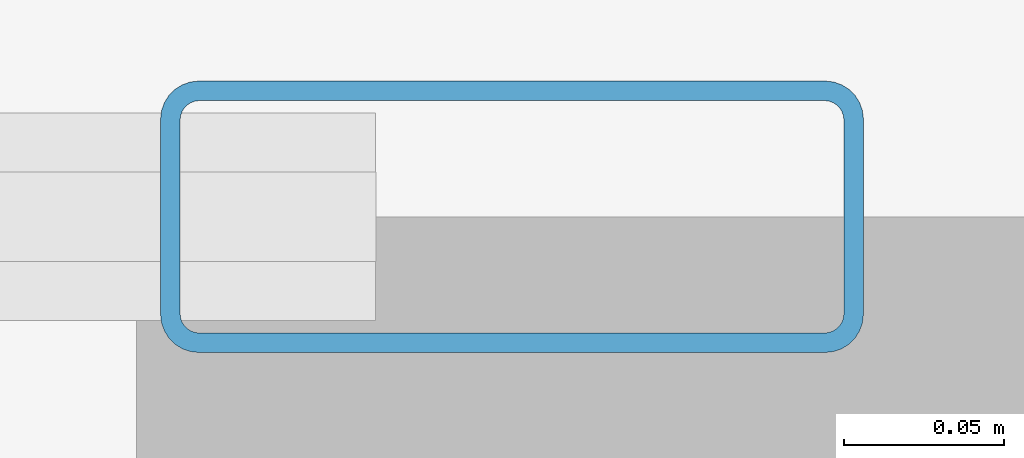
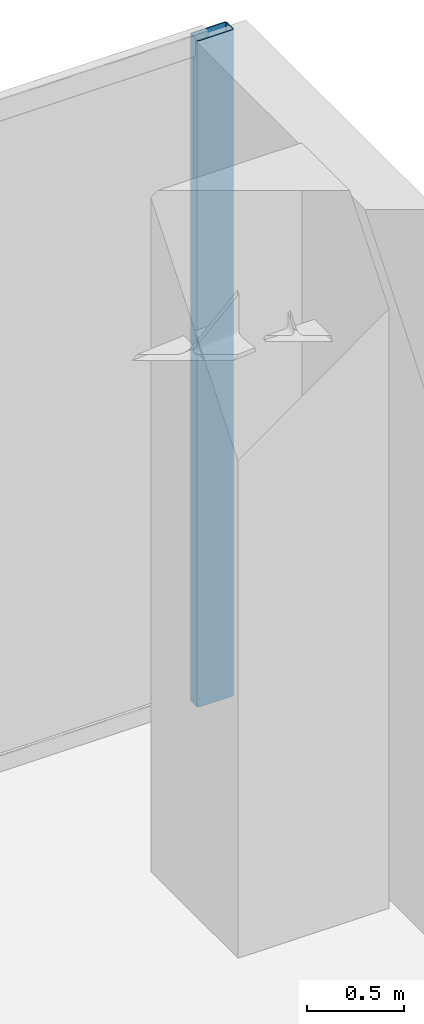
# One storey, part 17 of 29: 1 member, 1 element without a shape of its own.
"""IFC4 building model written with IfcOpenShell, lengths in metres."""

from ifc_helpers import new_model, si_unit, direction, frame, origin, origin_2d, place, context, subcontext, project, spatial, hollow_rectangle, extrude, material, layer, layer_set, material_profile, profile_set, type_object, element, aggregate, save


model = new_model("IFC4")

# Units and contexts
model_context = context("Model", 3, precision=1e-05, world=origin(), true_north=direction((0.0, 1.0)))
body_context = subcontext(model_context, "Body", "Model", "MODEL_VIEW")
ifc_project = project(units=[si_unit("LENGTHUNIT", "METRE"), si_unit("AREAUNIT", "SQUARE_METRE"), si_unit("VOLUMEUNIT", "CUBIC_METRE"), si_unit("PLANEANGLEUNIT", "RADIAN"), si_unit("MASSUNIT", "GRAM", prefix="KILO")], contexts=[model_context])

# Site, building, storey
site_placement = place(None, origin())
site = spatial("IfcSite", under=ifc_project, at=site_placement, CompositionType="ELEMENT")
building_placement = place(site_placement, origin())
building = spatial("IfcBuilding", under=site, at=building_placement, Name="Tarnavaz Court Tower", CompositionType="ELEMENT")
storey_placement = place(building_placement, frame((0.0, 0.0, 5.39990234375)))
storey = spatial("IfcBuildingStorey", under=building, at=storey_placement, Name="L01", CompositionType="ELEMENT", Elevation=5.39990234375)

# Curtain wall, member
ifc_material_1 = material(Name="Anodised Aluminium 6063-T6 and Solar Low-E Glazing", Category="aluminium")
ifc_layer = layer(ifc_material_1, 0.18994140625)
ifc_layer_set = layer_set([ifc_layer], Name="Anodised Aluminium 6063-T6 and Solar Low-E Glazing")
curtain_wall_type = type_object("IfcCurtainWallType", Name="CW-SYS-01", PredefinedType="NOTDEFINED", material=ifc_layer_set)
curtain_wall_placement = place(storey_placement, origin())
curtain_wall = element("IfcCurtainWall", 1, at=curtain_wall_placement, inside=storey, type_object=curtain_wall_type, Name="L01 Clinic Podium Curtain Wall 1", PredefinedType="NOTDEFINED")
ifc_material_2 = material(Name="Anodised Aluminium 6063-T6", Category="aluminium")
ifc_material_profile = material_profile(ifc_material_2, hollow_rectangle(XDim=0.0849609375, YDim=0.219970703125, WallThickness=0.006103515625, InnerFilletRadius=0.006103515625, OuterFilletRadius=0.011962890625, at=origin_2d()), Name="ALU RHS 220X85X6")
ifc_profile_set = profile_set([ifc_material_profile], Name="Anodised Aluminium 6063-T6")
member_type = type_object("IfcMemberType", Name="CW-MUL-220", PredefinedType="MULLION", material=ifc_profile_set)
member_placement = place(storey_placement, frame((32.8076171875, 29.85009765625, 0.0), z_axis=(0.0, 0.0, 1.0), x_axis=(0.0, 1.0, 0.0)))
member = element("IfcMember", 2, at=member_placement, type_object=member_type, Name="CW mullion 12", PredefinedType="MULLION", context=body_context, shape_type="SweptSolid", body=[
    extrude(hollow_rectangle(XDim=0.0849609375, YDim=0.219970703125, WallThickness=0.006103515625, InnerFilletRadius=0.006103515625, OuterFilletRadius=0.011962890625, at=origin_2d()), origin(), (0.0, 0.0, 1.0), 4.2001953125),
])
aggregate(curtain_wall, [member])

save(model, "model.ifc")
